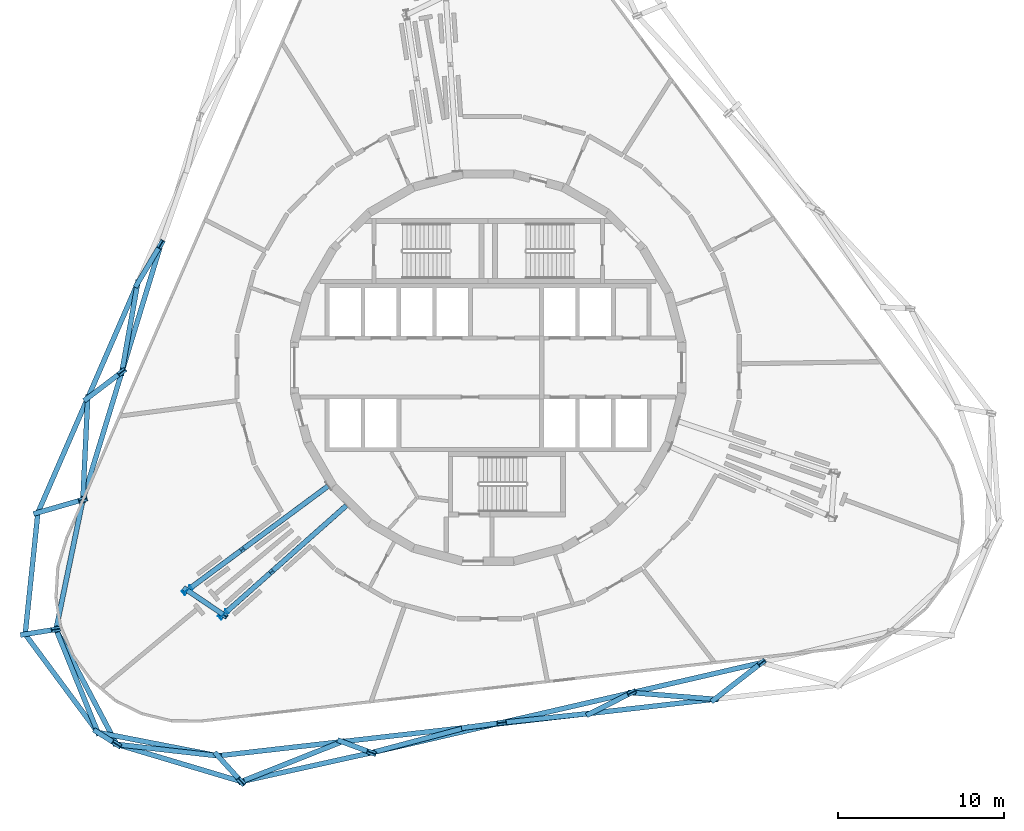
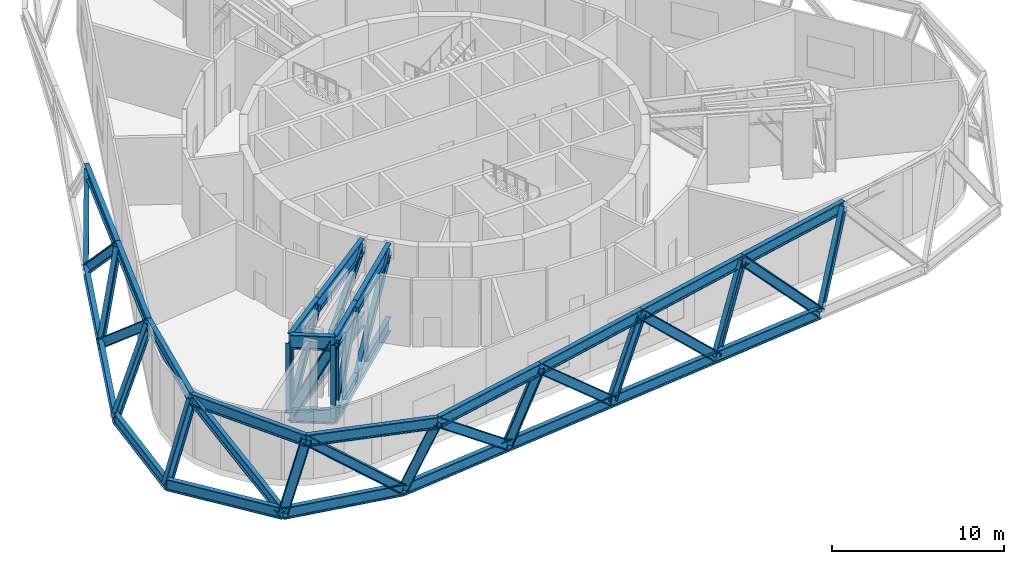
# One storey, part 1 of 11: 53 members.
"""IFC4 building model written with IfcOpenShell, lengths in metres."""

from ifc_helpers import new_model, si_unit, direction, frame, origin, origin_2d, place, context, subcontext, project, spatial, i_section, extrude, material, material_profile, profile_set, type_object, element, save


model = new_model("IFC4")

# Units and contexts
model_context = context("Model", 3, precision=1e-05, world=origin(), true_north=direction((0.0, 1.0)))
body_context = subcontext(model_context, "Body", "Model", "MODEL_VIEW")
ifc_project = project(units=[si_unit("LENGTHUNIT", "METRE"), si_unit("AREAUNIT", "SQUARE_METRE"), si_unit("VOLUMEUNIT", "CUBIC_METRE"), si_unit("PLANEANGLEUNIT", "RADIAN"), si_unit("MASSUNIT", "GRAM", prefix="KILO")], contexts=[model_context])

# Site, building, storey
site_placement = place(None, origin())
site = spatial("IfcSite", under=ifc_project, at=site_placement, CompositionType="ELEMENT")
building_placement = place(site_placement, origin())
building = spatial("IfcBuilding", under=site, at=building_placement, Name="Spindle Arch Residences", CompositionType="ELEMENT")
storey_placement = place(building_placement, frame((0.0, 0.0, 108.199951171875)))
storey = spatial("IfcBuildingStorey", under=building, at=storey_placement, Name="L26", CompositionType="ELEMENT", Elevation=108.199951171875)

# Members
ifc_material_1 = material(Name="Steel S460ML, intumescent coating R 240", Category="steel")
ifc_material_profile_1 = material_profile(ifc_material_1, i_section(OverallWidth=0.302978515625, OverallDepth=0.81396484375, WebThickness=0.02099609375, FlangeThickness=0.0400390625, FilletRadius=0.030029296875, at=origin_2d()), Name="HEM 800")
ifc_profile_set_1 = profile_set([ifc_material_profile_1], Name="Steel S460ML, intumescent coating R 240")
member_type_1 = type_object("IfcMemberType", Name="Belt truss chord HEM 800", PredefinedType="CHORD", material=ifc_profile_set_1)
member_1_placement = place(storey_placement, frame((6.153076171875, -20.794677734375, -0.85693359375), z_axis=(0.993573008535, 0.113193094799, 0.0), x_axis=(-0.113193094799, 0.993573008535, 0.0)))
element("IfcMember", 1, at=member_1_placement, inside=storey, type_object=member_type_1, Name="Belt truss bottom chord L26.1", PredefinedType="CHORD", context=body_context, shape_type="SweptSolid", body=[
    extrude(i_section(OverallWidth=0.302978515625, OverallDepth=0.81396484375, WebThickness=0.02099609375, FlangeThickness=0.0400390625, FilletRadius=0.030029296875, at=origin_2d()), origin(), (0.0, 0.0, 1.0), 7.518798828125),
])
member_2_placement = place(storey_placement, frame((-21.085205078125, 5.068603515625, -0.85693359375), z_axis=(-0.398749858314, -0.917059731149, 0.0), x_axis=(0.917059731149, -0.398749858314, 0.0)))
element("IfcMember", 2, at=member_2_placement, inside=storey, type_object=member_type_1, Name="Belt truss bottom chord L26.17", PredefinedType="CHORD", context=body_context, shape_type="SweptSolid", body=[
    extrude(i_section(OverallWidth=0.302978515625, OverallDepth=0.81396484375, WebThickness=0.02099609375, FlangeThickness=0.0400390625, FilletRadius=0.030029296875, at=origin_2d()), origin(), (0.0, 0.0, 1.0), 7.5185546875),
])
member_3_placement = place(storey_placement, frame((-24.083251953125, -1.826416015625, -0.85693359375), z_axis=(-0.398737984544, -0.917064893932, 0.0), x_axis=(0.917064893932, -0.398737984544, 0.0)))
element("IfcMember", 3, at=member_3_placement, inside=storey, type_object=member_type_1, Name="Belt truss bottom chord L26.18", PredefinedType="CHORD", context=body_context, shape_type="SweptSolid", body=[
    extrude(i_section(OverallWidth=0.302978515625, OverallDepth=0.81396484375, WebThickness=0.02099609375, FlangeThickness=0.0400390625, FilletRadius=0.030029296875, at=origin_2d()), origin(), (0.0, 0.0, 1.0), 7.518798828125),
])
member_4_placement = place(storey_placement, frame((-27.081298828125, -8.7216796875, -0.85693359375), z_axis=(-0.104074745973, -0.994569478343, 0.0), x_axis=(0.994569478343, -0.104074745973, 0.0)))
element("IfcMember", 4, at=member_4_placement, inside=storey, type_object=member_type_1, Name="Belt truss bottom chord L26.19", PredefinedType="CHORD", context=body_context, shape_type="SweptSolid", body=[
    extrude(i_section(OverallWidth=0.302978515625, OverallDepth=0.81396484375, WebThickness=0.02099609375, FlangeThickness=0.0400390625, FilletRadius=0.030029296875, at=origin_2d()), origin(), (0.0, 0.0, 1.0), 7.354248046875),
])
member_5_placement = place(storey_placement, frame((-27.8466796875, -16.035888671875, -0.85693359375), z_axis=(0.59480306331, -0.803871454822, 0.0), x_axis=(0.803871454822, 0.59480306331, 0.0)))
element("IfcMember", 5, at=member_5_placement, inside=storey, type_object=member_type_1, Name="Belt truss bottom chord L26.20", PredefinedType="CHORD", context=body_context, shape_type="SweptSolid", body=[
    extrude(i_section(OverallWidth=0.302978515625, OverallDepth=0.81396484375, WebThickness=0.02099609375, FlangeThickness=0.0400390625, FilletRadius=0.030029296875, at=origin_2d()), origin(), (0.0, 0.0, 1.0), 7.346435546875),
])
member_6_placement = place(storey_placement, frame((-23.47705078125, -21.94140625, -0.85693359375), z_axis=(0.981535309829, -0.191281038159, 0.0), x_axis=(0.191281038159, 0.981535309829, 0.0)))
element("IfcMember", 6, at=member_6_placement, inside=storey, type_object=member_type_1, Name="Belt truss bottom chord L26.21", PredefinedType="CHORD", context=body_context, shape_type="SweptSolid", body=[
    extrude(i_section(OverallWidth=0.302978515625, OverallDepth=0.81396484375, WebThickness=0.02099609375, FlangeThickness=0.0400390625, FilletRadius=0.030029296875, at=origin_2d()), origin(), (0.0, 0.0, 1.0), 7.354248046875),
])
member_7_placement = place(storey_placement, frame((-16.258544921875, -23.34814453125, -0.85693359375), z_axis=(0.993573008535, 0.113193094799, 0.0), x_axis=(-0.113193094799, 0.993573008535, 0.0)))
element("IfcMember", 7, at=member_7_placement, inside=storey, type_object=member_type_1, Name="Belt truss bottom chord L26.22", PredefinedType="CHORD", context=body_context, shape_type="SweptSolid", body=[
    extrude(i_section(OverallWidth=0.302978515625, OverallDepth=0.81396484375, WebThickness=0.02099609375, FlangeThickness=0.0400390625, FilletRadius=0.030029296875, at=origin_2d()), origin(), (0.0, 0.0, 1.0), 7.518798828125),
])
member_8_placement = place(storey_placement, frame((-8.7880859375, -22.4970703125, -0.85693359375), z_axis=(0.993569772439, 0.113221496617, 0.0), x_axis=(-0.113221496617, 0.993569772439, 0.0)))
element("IfcMember", 8, at=member_8_placement, inside=storey, type_object=member_type_1, Name="Belt truss bottom chord L26.23", PredefinedType="CHORD", context=body_context, shape_type="SweptSolid", body=[
    extrude(i_section(OverallWidth=0.302978515625, OverallDepth=0.81396484375, WebThickness=0.02099609375, FlangeThickness=0.0400390625, FilletRadius=0.030029296875, at=origin_2d()), origin(), (0.0, 0.0, 1.0), 7.51904296875),
])
member_9_placement = place(storey_placement, frame((-1.3173828125, -21.645751953125, -0.85693359375), z_axis=(0.993573008535, 0.113193094799, 0.0), x_axis=(-0.113193094799, 0.993573008535, 0.0)))
element("IfcMember", 9, at=member_9_placement, inside=storey, type_object=member_type_1, Name="Belt truss bottom chord L26.24", PredefinedType="CHORD", context=body_context, shape_type="SweptSolid", body=[
    extrude(i_section(OverallWidth=0.302978515625, OverallDepth=0.81396484375, WebThickness=0.02099609375, FlangeThickness=0.0400390625, FilletRadius=0.030029296875, at=origin_2d()), origin(), (0.0, 0.0, 1.0), 7.518798828125),
])
for number, where, z_axis, x_axis, name in (
    (10, (8.633544921875, -19.5498046875, 4.343017578125), (0.974371205655, 0.224946112636, 0.0), (-0.224946112636, 0.974371205655, 0.0), "Belt truss top chord L26.1"),
    (11, (-19.682373046875, 7.4169921875, 4.343017578125), (-0.292356809436, -0.956309309782, 0.0), (0.956309309782, -0.292356809436, 0.0), "Belt truss top chord L26.15"),
):
    element("IfcMember", number, at=place(storey_placement, frame(where, z_axis=z_axis, x_axis=x_axis)), inside=storey, type_object=member_type_1, Name=name, PredefinedType="CHORD", context=body_context, shape_type="SweptSolid", body=[
        extrude(i_section(OverallWidth=0.302978515625, OverallDepth=0.81396484375, WebThickness=0.02099609375, FlangeThickness=0.0400390625, FilletRadius=0.030029296875, at=origin_2d()), origin(), (0.0, 0.0, 1.0), 8.029296875),
    ])
member_10_placement = place(storey_placement, frame((-22.02978515625, -0.261474609375, 4.343017578125), z_axis=(-0.292393118485, -0.956298208857, 0.0), x_axis=(0.956298208857, -0.292393118485, 0.0)))
element("IfcMember", 12, at=member_10_placement, inside=storey, type_object=member_type_1, Name="Belt truss top chord L26.16", PredefinedType="CHORD", context=body_context, shape_type="SweptSolid", body=[
    extrude(i_section(OverallWidth=0.302978515625, OverallDepth=0.81396484375, WebThickness=0.02099609375, FlangeThickness=0.0400390625, FilletRadius=0.030029296875, at=origin_2d()), origin(), (0.0, 0.0, 1.0), 8.029052734375),
])
member_11_placement = place(storey_placement, frame((-24.37744140625, -7.939697265625, 4.343017578125), z_axis=(-0.20252252567, -0.97927760446, 0.0), x_axis=(0.97927760446, -0.20252252567, 0.0)))
element("IfcMember", 13, at=member_11_placement, inside=storey, type_object=member_type_1, Name="Belt truss top chord L26.17", PredefinedType="CHORD", context=body_context, shape_type="SweptSolid", body=[
    extrude(i_section(OverallWidth=0.302978515625, OverallDepth=0.81396484375, WebThickness=0.02099609375, FlangeThickness=0.0400390625, FilletRadius=0.030029296875, at=origin_2d()), origin(), (0.0, 0.0, 1.0), 7.96826171875),
])
for number, where, z_axis, x_axis, name in (
    (14, (-25.9912109375, -15.742919921875, 4.343017578125), (0.466652116591, -0.884440954548, 0.0), (0.884440954548, 0.466652116591, 0.0), "Belt truss top chord L26.18"),
    (15, (-22.34228515625, -22.65869140625, 4.343017578125), (0.958147074337, -0.286276411776, 0.0), (0.286276411776, 0.958147074337, 0.0), "Belt truss top chord L26.19"),
):
    element("IfcMember", number, at=place(storey_placement, frame(where, z_axis=z_axis, x_axis=x_axis)), inside=storey, type_object=member_type_1, Name=name, PredefinedType="CHORD", context=body_context, shape_type="SweptSolid", body=[
        extrude(i_section(OverallWidth=0.302978515625, OverallDepth=0.81396484375, WebThickness=0.02099609375, FlangeThickness=0.0400390625, FilletRadius=0.030029296875, at=origin_2d()), origin(), (0.0, 0.0, 1.0), 7.8193359375),
    ])
member_12_placement = place(storey_placement, frame((-14.85009765625, -24.897216796875, 4.343017578125), z_axis=(0.976356376203, 0.216167126657, 0.0), x_axis=(-0.216167126657, 0.976356376203, 0.0)))
element("IfcMember", 16, at=member_12_placement, inside=storey, type_object=member_type_1, Name="Belt truss top chord L26.20", PredefinedType="CHORD", context=body_context, shape_type="SweptSolid", body=[
    extrude(i_section(OverallWidth=0.302978515625, OverallDepth=0.81396484375, WebThickness=0.02099609375, FlangeThickness=0.0400390625, FilletRadius=0.030029296875, at=origin_2d()), origin(), (0.0, 0.0, 1.0), 8.026611328125),
])
member_13_placement = place(storey_placement, frame((-7.01318359375, -23.162109375, 4.343017578125), z_axis=(0.974371205655, 0.224946112636, 0.0), x_axis=(-0.224946112636, 0.974371205655, 0.0)))
element("IfcMember", 17, at=member_13_placement, inside=storey, type_object=member_type_1, Name="Belt truss top chord L26.21", PredefinedType="CHORD", context=body_context, shape_type="SweptSolid", body=[
    extrude(i_section(OverallWidth=0.302978515625, OverallDepth=0.81396484375, WebThickness=0.02099609375, FlangeThickness=0.0400390625, FilletRadius=0.030029296875, at=origin_2d()), origin(), (0.0, 0.0, 1.0), 8.029296875),
])
member_14_placement = place(storey_placement, frame((0.810302734375, -21.35595703125, 4.343017578125), z_axis=(0.974369667003, 0.224952777321, 0.0), x_axis=(-0.224952777321, 0.974369667003, 0.0)))
element("IfcMember", 18, at=member_14_placement, inside=storey, type_object=member_type_1, Name="Belt truss top chord L26.22", PredefinedType="CHORD", context=body_context, shape_type="SweptSolid", body=[
    extrude(i_section(OverallWidth=0.302978515625, OverallDepth=0.81396484375, WebThickness=0.02099609375, FlangeThickness=0.0400390625, FilletRadius=0.030029296875, at=origin_2d()), origin(), (0.0, 0.0, 1.0), 8.029052734375),
])
ifc_material_2 = material(Name="Steel S460ML, intumescent coating R 240", Category="steel")
ifc_material_profile_2 = material_profile(ifc_material_2, i_section(OverallWidth=0.304931640625, OverallDepth=0.6201171875, WebThickness=0.02099609375, FlangeThickness=0.0400390625, FilletRadius=0.027099609375, at=origin_2d()), Name="HEM 600")
ifc_profile_set_2 = profile_set([ifc_material_profile_2], Name="Steel S460ML, intumescent coating R 240")
member_type_2 = type_object("IfcMemberType", Name="Belt truss diagonal HEM 600", PredefinedType="BRACE", material=ifc_profile_set_2)
member_15_placement = place(storey_placement, frame((6.153076171875, -20.794677734375, -0.85693359375), z_axis=(0.420830116736, 0.211202043823, 0.882210694524), x_axis=(-0.448550213489, 0.893757632683, 0.0)))
element("IfcMember", 19, at=member_15_placement, inside=storey, type_object=member_type_2, Name="Belt truss diagonal L26.1.1", PredefinedType="BRACE", context=body_context, shape_type="SweptSolid", body=[
    extrude(i_section(OverallWidth=0.304931640625, OverallDepth=0.6201171875, WebThickness=0.02099609375, FlangeThickness=0.0400390625, FilletRadius=0.027099609375, at=origin_2d()), origin(), (0.0, 0.0, 1.0), 5.894287109375),
])
member_16_placement = place(storey_placement, frame((13.62353515625, -19.943603515625, -0.85693359375), z_axis=(-0.691358740083, 0.054560479855, 0.720448642548), x_axis=(-0.078673146881, -0.996900464419, 0.0)))
element("IfcMember", 20, at=member_16_placement, inside=storey, type_object=member_type_2, Name="Belt truss diagonal L26.1.2", PredefinedType="BRACE", context=body_context, shape_type="SweptSolid", body=[
    extrude(i_section(OverallWidth=0.304931640625, OverallDepth=0.6201171875, WebThickness=0.02099609375, FlangeThickness=0.0400390625, FilletRadius=0.027099609375, at=origin_2d()), origin(), (0.0, 0.0, 1.0), 7.2177734375),
])
member_17_placement = place(storey_placement, frame((13.62353515625, -19.943603515625, -0.85693359375), z_axis=(0.448531304314, 0.348243631154, 0.823131849955), x_axis=(-0.613266620075, 0.789875972987, 0.0)))
element("IfcMember", 21, at=member_17_placement, inside=storey, type_object=member_type_2, Name="Belt truss diagonal L26.2.2", PredefinedType="BRACE", context=body_context, shape_type="SweptSolid", body=[
    extrude(i_section(OverallWidth=0.304931640625, OverallDepth=0.6201171875, WebThickness=0.02099609375, FlangeThickness=0.0400390625, FilletRadius=0.027099609375, at=origin_2d()), origin(), (0.0, 0.0, 1.0), 6.3173828125),
])
member_18_placement = place(storey_placement, frame((-21.085205078125, 5.068603515625, -0.85693359375), z_axis=(0.238756629763, 0.399686742375, 0.885011739874), x_axis=(-0.858491425576, 0.512827916765, 0.0)))
element("IfcMember", 22, at=member_18_placement, inside=storey, type_object=member_type_2, Name="Belt truss diagonal L26.15.17", PredefinedType="BRACE", context=body_context, shape_type="SweptSolid", body=[
    extrude(i_section(OverallWidth=0.304931640625, OverallDepth=0.6201171875, WebThickness=0.02099609375, FlangeThickness=0.0400390625, FilletRadius=0.027099609375, at=origin_2d()), origin(), (0.0, 0.0, 1.0), 5.87548828125),
])
member_19_placement = place(storey_placement, frame((-21.085205078125, 5.068603515625, -0.85693359375), z_axis=(-0.125841749299, -0.71010004412, 0.692763871369), x_axis=(0.984657531105, -0.174497984053, 0.0)))
element("IfcMember", 23, at=member_19_placement, inside=storey, type_object=member_type_2, Name="Belt truss diagonal L26.16.17", PredefinedType="BRACE", context=body_context, shape_type="SweptSolid", body=[
    extrude(i_section(OverallWidth=0.304931640625, OverallDepth=0.6201171875, WebThickness=0.02099609375, FlangeThickness=0.0400390625, FilletRadius=0.027099609375, at=origin_2d()), origin(), (0.0, 0.0, 1.0), 7.506103515625),
])
member_20_placement = place(storey_placement, frame((-24.083251953125, -1.826416015625, -0.85693359375), z_axis=(0.353703083788, 0.269556148744, 0.895674947284), x_axis=(-0.606140078785, 0.795357909931, 0.0)))
element("IfcMember", 24, at=member_20_placement, inside=storey, type_object=member_type_2, Name="Belt truss diagonal L26.16.18", PredefinedType="BRACE", context=body_context, shape_type="SweptSolid", body=[
    extrude(i_section(OverallWidth=0.304931640625, OverallDepth=0.6201171875, WebThickness=0.02099609375, FlangeThickness=0.0400390625, FilletRadius=0.027099609375, at=origin_2d()), origin(), (0.0, 0.0, 1.0), 5.8056640625),
])
member_21_placement = place(storey_placement, frame((-24.083251953125, -1.826416015625, -0.85693359375), z_axis=(-0.036631368404, -0.761202875382, 0.647478436212), x_axis=(0.998844095548, -0.048067377601, 0.0)))
element("IfcMember", 25, at=member_21_placement, inside=storey, type_object=member_type_2, Name="Belt truss diagonal L26.17.18", PredefinedType="BRACE", context=body_context, shape_type="SweptSolid", body=[
    extrude(i_section(OverallWidth=0.304931640625, OverallDepth=0.6201171875, WebThickness=0.02099609375, FlangeThickness=0.0400390625, FilletRadius=0.027099609375, at=origin_2d()), origin(), (0.0, 0.0, 1.0), 8.031005859375),
])
member_22_placement = place(storey_placement, frame((-27.081298828125, -8.7216796875, -0.85693359375), z_axis=(0.457284715804, 0.13225128169, 0.879431797915), x_axis=(-0.2778242893, 0.960631908836, 0.0)))
element("IfcMember", 26, at=member_22_placement, inside=storey, type_object=member_type_2, Name="Belt truss diagonal L26.17.19", PredefinedType="BRACE", context=body_context, shape_type="SweptSolid", body=[
    extrude(i_section(OverallWidth=0.304931640625, OverallDepth=0.6201171875, WebThickness=0.02099609375, FlangeThickness=0.0400390625, FilletRadius=0.027099609375, at=origin_2d()), origin(), (0.0, 0.0, 1.0), 5.912841796875),
])
member_23_placement = place(storey_placement, frame((-27.8466796875, -16.035888671875, -0.85693359375), z_axis=(0.335598115004, 0.052989176053, 0.940513717299), x_axis=(-0.155962573473, 0.987762965329, 0.0)))
element("IfcMember", 27, at=member_23_placement, inside=storey, type_object=member_type_2, Name="Belt truss diagonal L26.18.20", PredefinedType="BRACE", context=body_context, shape_type="SweptSolid", body=[
    extrude(i_section(OverallWidth=0.304931640625, OverallDepth=0.6201171875, WebThickness=0.02099609375, FlangeThickness=0.0400390625, FilletRadius=0.027099609375, at=origin_2d()), origin(), (0.0, 0.0, 1.0), 5.52880859375),
])
member_24_placement = place(storey_placement, frame((-23.47705078125, -21.94140625, -0.85693359375), z_axis=(-0.296746763109, 0.73160842577, 0.613751146578), x_axis=(-0.926673652028, -0.375866921446, 0.0)))
element("IfcMember", 28, at=member_24_placement, inside=storey, type_object=member_type_2, Name="Belt truss diagonal L26.18.21", PredefinedType="BRACE", context=body_context, shape_type="SweptSolid", body=[
    extrude(i_section(OverallWidth=0.304931640625, OverallDepth=0.6201171875, WebThickness=0.02099609375, FlangeThickness=0.0400390625, FilletRadius=0.027099609375, at=origin_2d()), origin(), (0.0, 0.0, 1.0), 8.472412109375),
])
member_25_placement = place(storey_placement, frame((-23.47705078125, -21.94140625, -0.85693359375), z_axis=(0.211298235434, -0.13356157825, 0.968253252263), x_axis=(0.534307700008, 0.845290057739, 0.0)))
element("IfcMember", 29, at=member_25_placement, inside=storey, type_object=member_type_2, Name="Belt truss diagonal L26.19.21", PredefinedType="BRACE", context=body_context, shape_type="SweptSolid", body=[
    extrude(i_section(OverallWidth=0.304931640625, OverallDepth=0.6201171875, WebThickness=0.02099609375, FlangeThickness=0.0400390625, FilletRadius=0.027099609375, at=origin_2d()), origin(), (0.0, 0.0, 1.0), 5.370361328125),
])
member_26_placement = place(storey_placement, frame((-16.258544921875, -23.34814453125, -0.85693359375), z_axis=(-0.757357313108, 0.085829168595, 0.647335503507), x_axis=(-0.112606382306, -0.993639674462, 0.0)))
element("IfcMember", 30, at=member_26_placement, inside=storey, type_object=member_type_2, Name="Belt truss diagonal L26.19.22", PredefinedType="BRACE", context=body_context, shape_type="SweptSolid", body=[
    extrude(i_section(OverallWidth=0.304931640625, OverallDepth=0.6201171875, WebThickness=0.02099609375, FlangeThickness=0.0400390625, FilletRadius=0.027099609375, at=origin_2d()), origin(), (0.0, 0.0, 1.0), 8.032958984375),
])
member_27_placement = place(storey_placement, frame((-16.258544921875, -23.34814453125, -0.85693359375), z_axis=(0.251256825629, -0.276343310559, 0.92763375439), x_axis=(0.73989258318, 0.672725029529, 0.0)))
element("IfcMember", 31, at=member_27_placement, inside=storey, type_object=member_type_2, Name="Belt truss diagonal L26.20.22", PredefinedType="BRACE", context=body_context, shape_type="SweptSolid", body=[
    extrude(i_section(OverallWidth=0.304931640625, OverallDepth=0.6201171875, WebThickness=0.02099609375, FlangeThickness=0.0400390625, FilletRadius=0.027099609375, at=origin_2d()), origin(), (0.0, 0.0, 1.0), 5.605712890625),
])
member_28_placement = place(storey_placement, frame((-8.7880859375, -22.4970703125, -0.85693359375), z_axis=(-0.726898683733, -0.287802696729, 0.623528597053), x_axis=(0.368128033927, -0.929775107559, 0.0)))
element("IfcMember", 32, at=member_28_placement, inside=storey, type_object=member_type_2, Name="Belt truss diagonal L26.20.23", PredefinedType="BRACE", context=body_context, shape_type="SweptSolid", body=[
    extrude(i_section(OverallWidth=0.304931640625, OverallDepth=0.6201171875, WebThickness=0.02099609375, FlangeThickness=0.0400390625, FilletRadius=0.027099609375, at=origin_2d()), origin(), (0.0, 0.0, 1.0), 8.339599609375),
])
member_29_placement = place(storey_placement, frame((-8.7880859375, -22.4970703125, -0.85693359375), z_axis=(0.320690762078, -0.120159784855, 0.939531298692), x_axis=(0.350869344288, 0.936424424734, 0.0)))
element("IfcMember", 33, at=member_29_placement, inside=storey, type_object=member_type_2, Name="Belt truss diagonal L26.21.23", PredefinedType="BRACE", context=body_context, shape_type="SweptSolid", body=[
    extrude(i_section(OverallWidth=0.304931640625, OverallDepth=0.6201171875, WebThickness=0.02099609375, FlangeThickness=0.0400390625, FilletRadius=0.027099609375, at=origin_2d()), origin(), (0.0, 0.0, 1.0), 5.53466796875),
])
member_30_placement = place(storey_placement, frame((-1.3173828125, -21.645751953125, -0.85693359375), z_axis=(-0.724648503026, -0.19291863919, 0.661564014828), x_axis=(0.25726303194, -0.966341416062, 0.0)))
element("IfcMember", 34, at=member_30_placement, inside=storey, type_object=member_type_2, Name="Belt truss diagonal L26.21.24", PredefinedType="BRACE", context=body_context, shape_type="SweptSolid", body=[
    extrude(i_section(OverallWidth=0.304931640625, OverallDepth=0.6201171875, WebThickness=0.02099609375, FlangeThickness=0.0400390625, FilletRadius=0.027099609375, at=origin_2d()), origin(), (0.0, 0.0, 1.0), 7.860107421875),
])
member_31_placement = place(storey_placement, frame((-1.3173828125, -21.645751953125, -0.85693359375), z_axis=(0.378196081702, 0.05151104406, 0.924291261522), x_axis=(-0.134955921155, 0.99085160309, 0.0)))
element("IfcMember", 35, at=member_31_placement, inside=storey, type_object=member_type_2, Name="Belt truss diagonal L26.22.24", PredefinedType="BRACE", context=body_context, shape_type="SweptSolid", body=[
    extrude(i_section(OverallWidth=0.304931640625, OverallDepth=0.6201171875, WebThickness=0.02099609375, FlangeThickness=0.0400390625, FilletRadius=0.027099609375, at=origin_2d()), origin(), (0.0, 0.0, 1.0), 5.6259765625),
])
member_32_placement = place(storey_placement, frame((6.153076171875, -20.794677734375, -0.85693359375), z_axis=(-0.714598017977, -0.075071323493, 0.695495484595), x_axis=(0.104478970651, -0.994527096007, 0.0)))
element("IfcMember", 36, at=member_32_placement, inside=storey, type_object=member_type_2, Name="Belt truss diagonal L26.22.1", PredefinedType="BRACE", context=body_context, shape_type="SweptSolid", body=[
    extrude(i_section(OverallWidth=0.304931640625, OverallDepth=0.6201171875, WebThickness=0.02099609375, FlangeThickness=0.0400390625, FilletRadius=0.027099609375, at=origin_2d()), origin(), (0.0, 0.0, 1.0), 7.4765625),
])
ifc_material_3 = material(Name="Steel S460ML, intumescent coating R 240", Category="steel")
ifc_material_profile_3 = material_profile(ifc_material_3, i_section(OverallWidth=0.302001953125, OverallDepth=1.008056640625, WebThickness=0.02099609375, FlangeThickness=0.0400390625, FilletRadius=0.030029296875, at=origin_2d()), Name="HEM 1000")
ifc_profile_set_3 = profile_set([ifc_material_profile_3], Name="Steel S460ML, intumescent coating R 240")
member_type_3 = type_object("IfcMemberType", Name="Transfer truss chord HEM 1000", PredefinedType="CHORD", material=ifc_profile_set_3)
for number, where, z_axis, x_axis, name in (
    (37, (-9.62548828125, -7.12255859375, -0.953857421875), (-0.8038476152, -0.594835281013, 0.0), (0.594835281013, -0.8038476152, 0.0), "Transfer truss chord L26"),
    (38, (-9.62548828125, -7.12255859375, 4.24609375), (-0.8038476152, -0.594835281013, 0.0), (0.594835281013, -0.8038476152, 0.0), "Transfer truss chord L26"),
):
    element("IfcMember", number, at=place(storey_placement, frame(where, z_axis=z_axis, x_axis=x_axis)), inside=storey, type_object=member_type_3, Name=name, PredefinedType="CHORD", context=body_context, shape_type="SweptSolid", body=[
        extrude(i_section(OverallWidth=0.302001953125, OverallDepth=1.008056640625, WebThickness=0.02099609375, FlangeThickness=0.0400390625, FilletRadius=0.030029296875, at=origin_2d()), origin(), (0.0, 0.0, 1.0), 6.535400390625),
    ])
for number, where, z_axis, x_axis, name in (
    (39, (-14.87890625, -11.010009765625, -0.953857421875), (-0.803866962107, -0.594809135128, 0.0), (0.594809135128, -0.803866962107, 0.0), "Transfer truss chord L26"),
    (40, (-14.87890625, -11.010009765625, 4.24609375), (-0.803866962107, -0.594809135128, 0.0), (0.594809135128, -0.803866962107, 0.0), "Transfer truss chord L26"),
):
    element("IfcMember", number, at=place(storey_placement, frame(where, z_axis=z_axis, x_axis=x_axis)), inside=storey, type_object=member_type_3, Name=name, PredefinedType="CHORD", context=body_context, shape_type="SweptSolid", body=[
        extrude(i_section(OverallWidth=0.302001953125, OverallDepth=1.008056640625, WebThickness=0.02099609375, FlangeThickness=0.0400390625, FilletRadius=0.030029296875, at=origin_2d()), origin(), (0.0, 0.0, 1.0), 4.005615234375),
    ])
for number, where, z_axis, x_axis, name in (
    (41, (-18.098876953125, -13.392578125, -0.953857421875), (0.829066091704, -0.559150619768, 0.0), (0.559150619768, 0.829066091704, 0.0), "Transfer truss chord L26"),
    (42, (-18.098876953125, -13.392578125, 4.24609375), (0.829066091704, -0.559150619768, 0.0), (0.559150619768, 0.829066091704, 0.0), "Transfer truss chord L26"),
):
    element("IfcMember", number, at=place(storey_placement, frame(where, z_axis=z_axis, x_axis=x_axis)), inside=storey, type_object=member_type_3, Name=name, PredefinedType="CHORD", context=body_context, shape_type="SweptSolid", body=[
        extrude(i_section(OverallWidth=0.302001953125, OverallDepth=1.008056640625, WebThickness=0.02099609375, FlangeThickness=0.0400390625, FilletRadius=0.030029296875, at=origin_2d()), origin(), (0.0, 0.0, 1.0), 2.61572265625),
    ])
for number, where, z_axis, x_axis, name in (
    (43, (-8.529541015625, -8.295654296875, -0.953857421875), (-0.748353228181, -0.663300419019, 0.0), (0.663300419019, -0.748353228181, 0.0), "Transfer truss chord L26"),
    (44, (-8.529541015625, -8.295654296875, 4.24609375), (-0.748353228181, -0.663300419019, 0.0), (0.663300419019, -0.748353228181, 0.0), "Transfer truss chord L26"),
):
    element("IfcMember", number, at=place(storey_placement, frame(where, z_axis=z_axis, x_axis=x_axis)), inside=storey, type_object=member_type_3, Name=name, PredefinedType="CHORD", context=body_context, shape_type="SweptSolid", body=[
        extrude(i_section(OverallWidth=0.302001953125, OverallDepth=1.008056640625, WebThickness=0.02099609375, FlangeThickness=0.0400390625, FilletRadius=0.030029296875, at=origin_2d()), origin(), (0.0, 0.0, 1.0), 6.13134765625),
    ])
for number, where, z_axis, x_axis, name in (
    (45, (-13.117919921875, -12.362548828125, -0.953857421875), (-0.748347672143, -0.663306687437, 0.0), (0.663306687437, -0.748347672143, 0.0), "Transfer truss chord L26"),
    (46, (-13.117919921875, -12.362548828125, 4.24609375), (-0.748347672143, -0.663306687437, 0.0), (0.663306687437, -0.748347672143, 0.0), "Transfer truss chord L26"),
):
    element("IfcMember", number, at=place(storey_placement, frame(where, z_axis=z_axis, x_axis=x_axis)), inside=storey, type_object=member_type_3, Name=name, PredefinedType="CHORD", context=body_context, shape_type="SweptSolid", body=[
        extrude(i_section(OverallWidth=0.302001953125, OverallDepth=1.008056640625, WebThickness=0.02099609375, FlangeThickness=0.0400390625, FilletRadius=0.030029296875, at=origin_2d()), origin(), (0.0, 0.0, 1.0), 3.758056640625),
    ])
ifc_material_4 = material(Name="Steel S460ML, intumescent coating R 240", Category="steel")
ifc_material_profile_4 = material_profile(ifc_material_4, i_section(OverallWidth=0.304931640625, OverallDepth=0.6201171875, WebThickness=0.02099609375, FlangeThickness=0.0400390625, FilletRadius=0.027099609375, at=origin_2d()), Name="HEM 600")
ifc_profile_set_4 = profile_set([ifc_material_profile_4], Name="Steel S460ML, intumescent coating R 240")
member_type_4 = type_object("IfcMemberType", Name="Transfer truss diagonal HEM 600", PredefinedType="BRACE", material=ifc_profile_set_4)
member_33_placement = place(storey_placement, frame((-14.87890625, -11.010009765625, -0.953857421875), z_axis=(0.629027051208, 0.465470663462, 0.62262511217), x_axis=(-0.594835281013, 0.8038476152, 0.0)))
element("IfcMember", 47, at=member_33_placement, inside=storey, type_object=member_type_4, Name="Transfer truss diagonal L26", PredefinedType="BRACE", context=body_context, shape_type="SweptSolid", body=[
    extrude(i_section(OverallWidth=0.304931640625, OverallDepth=0.6201171875, WebThickness=0.02099609375, FlangeThickness=0.0400390625, FilletRadius=0.027099609375, at=origin_2d()), origin(), (0.0, 0.0, 1.0), 8.3515625),
])
member_34_placement = place(storey_placement, frame((-18.098876953125, -13.392578125, -0.953857421875), z_axis=(0.490560098872, 0.362982485776, 0.792208624299), x_axis=(-0.594809135128, 0.803866962107, 0.0)))
element("IfcMember", 48, at=member_34_placement, inside=storey, type_object=member_type_4, Name="Transfer truss diagonal L26", PredefinedType="BRACE", context=body_context, shape_type="SweptSolid", body=[
    extrude(i_section(OverallWidth=0.304931640625, OverallDepth=0.6201171875, WebThickness=0.02099609375, FlangeThickness=0.0400390625, FilletRadius=0.027099609375, at=origin_2d()), origin(), (0.0, 0.0, 1.0), 6.56396484375),
])
member_35_placement = place(storey_placement, frame((-18.098876953125, -13.392578125, -0.953857421875), z_axis=(0.37257576974, -0.251277883206, 0.893334607644), x_axis=(0.559150619768, 0.829066091704, 0.0)))
element("IfcMember", 49, at=member_35_placement, inside=storey, type_object=member_type_4, Name="Transfer truss diagonal L26", PredefinedType="BRACE", context=body_context, shape_type="SweptSolid", body=[
    extrude(i_section(OverallWidth=0.304931640625, OverallDepth=0.6201171875, WebThickness=0.02099609375, FlangeThickness=0.0400390625, FilletRadius=0.027099609375, at=origin_2d()), origin(), (0.0, 0.0, 1.0), 5.82080078125),
])
member_36_placement = place(storey_placement, frame((-13.117919921875, -12.362548828125, -0.953857421875), z_axis=(0.570734755545, 0.505868870803, 0.646806404084), x_axis=(-0.663300419019, 0.748353228181, 0.0)))
element("IfcMember", 50, at=member_36_placement, inside=storey, type_object=member_type_4, Name="Transfer truss diagonal L26", PredefinedType="BRACE", context=body_context, shape_type="SweptSolid", body=[
    extrude(i_section(OverallWidth=0.304931640625, OverallDepth=0.6201171875, WebThickness=0.02099609375, FlangeThickness=0.0400390625, FilletRadius=0.027099609375, at=origin_2d()), origin(), (0.0, 0.0, 1.0), 8.039306640625),
])
member_37_placement = place(storey_placement, frame((-15.93017578125, -14.855224609375, -0.953857421875), z_axis=(0.438337006943, 0.388525118577, 0.810499167538), x_axis=(-0.663306687437, 0.748347672143, 0.0)))
element("IfcMember", 51, at=member_37_placement, inside=storey, type_object=member_type_4, Name="Transfer truss diagonal L26", PredefinedType="BRACE", context=body_context, shape_type="SweptSolid", body=[
    extrude(i_section(OverallWidth=0.304931640625, OverallDepth=0.6201171875, WebThickness=0.02099609375, FlangeThickness=0.0400390625, FilletRadius=0.027099609375, at=origin_2d()), origin(), (0.0, 0.0, 1.0), 6.415771484375),
])
ifc_material_5 = material(Name="Steel S460ML, intumescent coating R 240", Category="steel")
ifc_material_profile_5 = material_profile(ifc_material_5, i_section(OverallWidth=0.300048828125, OverallDepth=0.60009765625, WebThickness=0.015380859375, FlangeThickness=0.030029296875, FilletRadius=0.027099609375, at=origin_2d()), Name="HEB 600")
ifc_profile_set_5 = profile_set([ifc_material_profile_5], Name="Steel S460ML, intumescent coating R 240")
member_type_5 = type_object("IfcMemberType", Name="Transfer truss post HEB 600", PredefinedType="POST", material=ifc_profile_set_5)
member_38_placement = place(storey_placement, frame((-18.098876953125, -13.392578125, -0.449951171875), z_axis=(0.0, 0.0, 1.0), x_axis=(-0.594823317687, 0.803856467746, 0.0)))
element("IfcMember", 52, at=member_38_placement, inside=storey, type_object=member_type_5, Name="Transfer truss post L26", PredefinedType="POST", context=body_context, shape_type="SweptSolid", body=[
    extrude(i_section(OverallWidth=0.300048828125, OverallDepth=0.60009765625, WebThickness=0.015380859375, FlangeThickness=0.030029296875, FilletRadius=0.027099609375, at=origin_2d()), origin(), (0.0, 0.0, 1.0), 4.696044921875),
])
member_39_placement = place(storey_placement, frame((-15.93017578125, -14.855224609375, -0.953857421875), z_axis=(0.0, 0.0, 1.0), x_axis=(-0.663304398409, 0.748349701043, 0.0)))
element("IfcMember", 53, at=member_39_placement, inside=storey, type_object=member_type_5, Name="Transfer truss post L26", PredefinedType="POST", context=body_context, shape_type="SweptSolid", body=[
    extrude(i_section(OverallWidth=0.300048828125, OverallDepth=0.60009765625, WebThickness=0.015380859375, FlangeThickness=0.030029296875, FilletRadius=0.027099609375, at=origin_2d()), origin(), (0.0, 0.0, 1.0), 5.199951171875),
])

save(model, "model.ifc")
